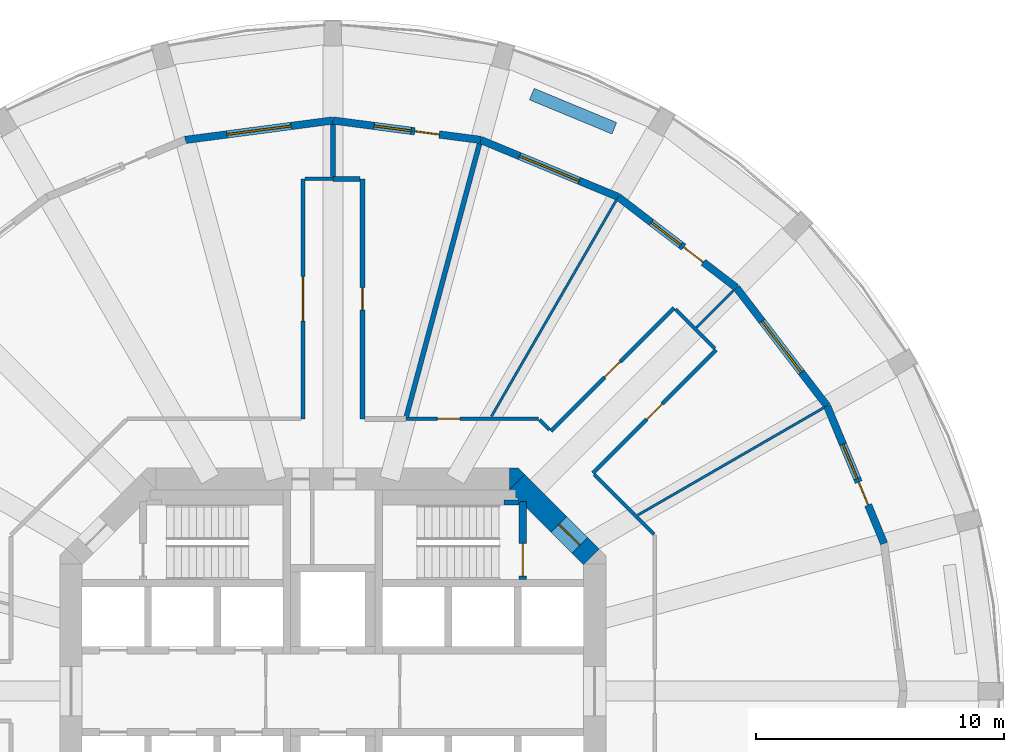
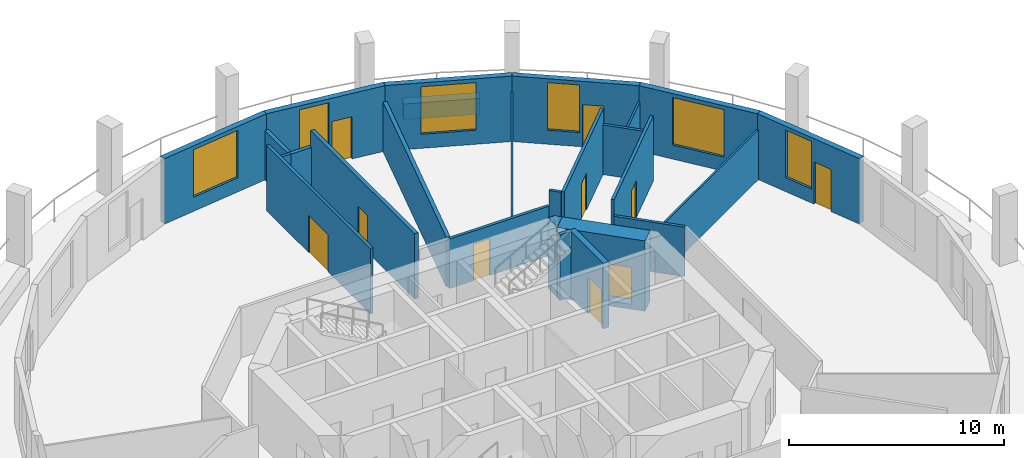
# One storey, part 6 of 9: 26 walls, 10 doors, 6 windows, 16 openings.
"""IFC4 building model written with IfcOpenShell, lengths in metres."""

from ifc_helpers import new_model, si_unit, direction, frame, frame_2d, origin, place, context, subcontext, project, spatial, polyline, rectangle, outline, extrude, material, layer, layer_set, type_object, element, fill, save


model = new_model("IFC4")

# Units and contexts
model_context = context("Model", 3, precision=1e-05, world=origin(), true_north=direction((0.0, 1.0)))
body_context = subcontext(model_context, "Body", "Model", "MODEL_VIEW")
ifc_project = project(units=[si_unit("LENGTHUNIT", "METRE"), si_unit("AREAUNIT", "SQUARE_METRE"), si_unit("VOLUMEUNIT", "CUBIC_METRE"), si_unit("PLANEANGLEUNIT", "RADIAN"), si_unit("MASSUNIT", "GRAM", prefix="KILO")], contexts=[model_context])

# Site, building, storey
site_placement = place(None, origin())
site = spatial("IfcSite", under=ifc_project, at=site_placement, CompositionType="ELEMENT")
building_placement = place(site_placement, origin())
building = spatial("IfcBuilding", under=site, at=building_placement, Name="Torre Triforio", CompositionType="ELEMENT")
storey_placement = place(building_placement, frame((0.0, 0.0, 51.0)))
storey = spatial("IfcBuildingStorey", under=building, at=storey_placement, Name="L10", CompositionType="ELEMENT", Elevation=51.0)

# Wall, opening, door
ifc_material_1 = material(Name="Concrete C60", Category="concrete")
ifc_layer_1 = layer(ifc_material_1, 0.89990234375)
ifc_layer_set_1 = layer_set([ifc_layer_1], Name="Concrete C60")
wall_type_1 = type_object("IfcWallType", Name="Core wall 900 mm C60 EI 120", PredefinedType="SHEAR", material=ifc_layer_set_1)
wall_1_placement = place(storey_placement, frame((7.418212890625, 8.418212890625, -0.280029296875), z_axis=(0.0, 0.0, 1.0), x_axis=(0.707106781187, -0.707106781187, 0.0)))
wall_1 = element("IfcWall", 1, at=wall_1_placement, inside=storey, type_object=wall_type_1, Name="Core wall", PredefinedType="SHEAR", context=body_context, shape_type="SweptSolid", body=[
    extrude(rectangle(XDim=4.24267578125, YDim=0.89990234375, at=frame_2d((2.121337890625, 0.0))), origin(), (0.0, 0.0, 1.0), 4.0),
])
opening_1_placement = place(wall_1_placement, frame((2.392578125, 0.0, 0.280029296875)))
opening_1 = element("IfcOpeningElement", 2, at=opening_1_placement, cuts=wall_1, Name="Opening ST2-EXIT", PredefinedType="OPENING", context=body_context, shape_type="SweptSolid", body=[
    extrude(rectangle(XDim=1.199951171875, YDim=2.10009765625, at=frame_2d((0.60009765625, 1.050048828125))), frame((0.0, 0.4599609375, 0.0), z_axis=(0.0, -1.0, 0.0), x_axis=(1.0, 0.0, 0.0)), (0.0, 0.0, 1.0), 0.919921875),
])
ifc_material_2 = material(Name="Hollow metal fire door leaf")
door_type_1 = type_object("IfcDoorType", Name="Stair lobby door 1200 x 2100 EI 60", OperationType="NOTDEFINED", PredefinedType="DOOR", material=ifc_material_2)
door_1_placement = place(opening_1_placement, origin())
door_1 = element("IfcDoor", 3, at=door_1_placement, inside=storey, type_object=door_type_1, Name="Core door ST2-EXIT", OperationType="SINGLE_SWING_RIGHT", OverallHeight=2.10009765625, OverallWidth=1.199951171875, PredefinedType="DOOR", context=body_context, shape_type="SweptSolid", body=[
    extrude(rectangle(XDim=1.199951171875, YDim=2.10009765625, at=frame_2d((0.60009765625, 1.050048828125))), frame((0.0, 0.02490234375, 0.0), z_axis=(0.0, -1.0, 0.0), x_axis=(1.0, 0.0, 0.0)), (0.0, 0.0, 1.0), 0.050048828125),
])
fill(opening_1, door_1)

# Wall
wall_2_placement = place(storey_placement, frame((0.0, 0.0, -0.280029296875)))
element("IfcWall", 4, at=wall_2_placement, inside=storey, type_object=wall_type_1, Name="Core wall", PredefinedType="SHEAR", context=body_context, shape_type="SweptSolid", body=[
    extrude(outline(polyline([(7.472900390625, 9.0), (7.736328125, 8.736328125), (7.1298828125, 8.1298828125), (7.1298828125, 9.0), (7.472900390625, 9.0)])), origin(), (0.0, 0.0, 1.0), 4.0),
])

# Wall, opening, door
ifc_material_3 = material(Name="Plasterboard on metal studs")
ifc_layer_2 = layer(ifc_material_3, 0.14990234375)
ifc_layer_set_2 = layer_set([ifc_layer_2], Name="Plasterboard on metal studs")
wall_type_2 = type_object("IfcWallType", Name="Corridor and tenancy wall 150 mm EI 60", PredefinedType="PARTITIONING", material=ifc_layer_set_2)
wall_3_placement = place(storey_placement, frame((-1.199951171875, 10.97509765625, 0.0), z_axis=(0.0, 0.0, 1.0), x_axis=(0.0, 1.0, 0.0)))
wall_3 = element("IfcWall", 5, at=wall_3_placement, inside=storey, type_object=wall_type_2, Name="Partition 17", PredefinedType="PARTITIONING", context=body_context, shape_type="SweptSolid", body=[
    extrude(rectangle(XDim=9.673583984375, YDim=0.14990234375, at=frame_2d((4.8369140625, 0.0))), origin(), (0.0, 0.0, 1.0), 3.719970703125),
])
opening_2_placement = place(wall_3_placement, frame((3.93701171875, 0.0, 0.0)))
opening_2 = element("IfcOpeningElement", 6, at=opening_2_placement, cuts=wall_3, Name="Opening N3-01", PredefinedType="OPENING", context=body_context, shape_type="SweptSolid", body=[
    extrude(rectangle(XDim=1.800048828125, YDim=2.10009765625, at=frame_2d((0.89990234375, 1.050048828125))), frame((0.0, 0.0849609375, 0.0), z_axis=(0.0, -1.0, 0.0), x_axis=(1.0, 0.0, 0.0)), (0.0, 0.0, 1.0), 0.169921875),
])
ifc_material_4 = material(Name="Timber", Category="wood")
door_type_2 = type_object("IfcDoorType", Name="Door 1800 x 2100 double leaf EI 30", OperationType="DOUBLE_DOOR_SINGLE_SWING", PredefinedType="DOOR", material=ifc_material_4)
door_2_placement = place(opening_2_placement, origin())
door_2 = element("IfcDoor", 7, at=door_2_placement, inside=storey, type_object=door_type_2, Name="Door N3-01", OperationType="DOUBLE_DOOR_SINGLE_SWING", OverallHeight=2.10009765625, OverallWidth=1.800048828125, PredefinedType="DOOR", context=body_context, shape_type="SweptSolid", body=[
    extrude(rectangle(XDim=1.800048828125, YDim=2.10009765625, at=frame_2d((0.89990234375, 1.050048828125))), frame((0.0, 0.02490234375, 0.0), z_axis=(0.0, -1.0, 0.0), x_axis=(1.0, 0.0, 0.0)), (0.0, 0.0, 1.0), 0.050048828125),
])
fill(opening_2, door_2)

# Wall
wall_4_placement = place(storey_placement, frame((-1.125, 20.648681640625, 0.0), z_axis=(0.0, 0.0, 1.0), x_axis=(1.0, 0.0, 0.0)))
element("IfcWall", 8, at=wall_4_placement, inside=storey, type_object=wall_type_2, Name="Partition 18", PredefinedType="PARTITIONING", context=body_context, shape_type="SweptSolid", body=[
    extrude(rectangle(XDim=1.125, YDim=0.14990234375, at=frame_2d((0.5625, 0.0))), origin(), (0.0, 0.0, 1.0), 2.820068359375),
])

# Wall, opening, door
wall_5_placement = place(storey_placement, frame((2.940673828125, 10.97509765625, 0.0), z_axis=(0.0, 0.0, 1.0), x_axis=(1.0, 0.0, 0.0)))
wall_5 = element("IfcWall", 9, at=wall_5_placement, inside=storey, type_object=wall_type_2, Name="Partition 22", PredefinedType="PARTITIONING", context=body_context, shape_type="SweptSolid", body=[
    extrude(rectangle(XDim=5.350341796875, YDim=0.14990234375, at=frame_2d((2.67529296875, 0.0))), origin(), (0.0, 0.0, 1.0), 2.820068359375),
])
opening_3_placement = place(wall_5_placement, frame((1.276611328125, 0.0, 0.0)))
opening_3 = element("IfcOpeningElement", 10, at=opening_3_placement, cuts=wall_5, Name="Opening N3-12", PredefinedType="OPENING", context=body_context, shape_type="SweptSolid", body=[
    extrude(rectangle(XDim=0.89990234375, YDim=2.10009765625, at=frame_2d((0.449951171875, 1.050048828125))), frame((0.0, 0.0849609375, 0.0), z_axis=(0.0, -1.0, 0.0), x_axis=(1.0, 0.0, 0.0)), (0.0, 0.0, 1.0), 0.169921875),
])
door_type_3 = type_object("IfcDoorType", Name="Door 900 x 2100 single leaf EI 30", OperationType="NOTDEFINED", PredefinedType="DOOR", material=ifc_material_4)
door_3_placement = place(opening_3_placement, origin())
door_3 = element("IfcDoor", 11, at=door_3_placement, inside=storey, type_object=door_type_3, Name="Door N3-12", OperationType="SINGLE_SWING_RIGHT", OverallHeight=2.10009765625, OverallWidth=0.89990234375, PredefinedType="DOOR", context=body_context, shape_type="SweptSolid", body=[
    extrude(rectangle(XDim=0.89990234375, YDim=2.10009765625, at=frame_2d((0.449951171875, 1.050048828125))), frame((0.0, 0.02490234375, 0.0), z_axis=(0.0, -1.0, 0.0), x_axis=(1.0, 0.0, 0.0)), (0.0, 0.0, 1.0), 0.050048828125),
])
fill(opening_3, door_3)

# Wall
wall_6_placement = place(storey_placement, frame((8.327880859375, 10.93798828125, 0.0), z_axis=(0.0, 0.0, 1.0), x_axis=(0.707106781187, -0.707106781187, 0.0)))
element("IfcWall", 12, at=wall_6_placement, inside=storey, type_object=wall_type_2, Name="Partition 23", PredefinedType="PARTITIONING", context=body_context, shape_type="SweptSolid", body=[
    extrude(rectangle(XDim=0.57080078125, YDim=0.14990234375, at=frame_2d((0.285400390625, 0.0))), origin(), (0.0, 0.0, 1.0), 3.719970703125),
])

# Wall, opening, door
wall_7_placement = place(storey_placement, frame((8.784423828125, 10.4814453125, 0.0), z_axis=(0.0, 0.0, 1.0), x_axis=(0.707089406061, 0.707124155885, 0.0)))
wall_7 = element("IfcWall", 13, at=wall_7_placement, inside=storey, type_object=wall_type_2, Name="Partition 24", PredefinedType="PARTITIONING", context=body_context, shape_type="SweptSolid", body=[
    extrude(rectangle(XDim=7.025634765625, YDim=0.14990234375, at=frame_2d((3.5126953125, 0.0))), origin(), (0.0, 0.0, 1.0), 3.719970703125),
])
opening_4_placement = place(wall_7_placement, frame((3.062744140625, 0.0, 0.0)))
opening_4 = element("IfcOpeningElement", 14, at=opening_4_placement, cuts=wall_7, Name="Opening N3-11", PredefinedType="OPENING", context=body_context, shape_type="SweptSolid", body=[
    extrude(rectangle(XDim=0.89990234375, YDim=2.10009765625, at=frame_2d((0.449951171875, 1.050048828125))), frame((0.0, 0.0849609375, 0.0), z_axis=(0.0, -1.0, 0.0), x_axis=(1.0, 0.0, 0.0)), (0.0, 0.0, 1.0), 0.169921875),
])
door_4_placement = place(opening_4_placement, origin())
door_4 = element("IfcDoor", 15, at=door_4_placement, inside=storey, type_object=door_type_3, Name="Door N3-11", OperationType="SINGLE_SWING_RIGHT", OverallHeight=2.10009765625, OverallWidth=0.89990234375, PredefinedType="DOOR", context=body_context, shape_type="SweptSolid", body=[
    extrude(rectangle(XDim=0.89990234375, YDim=2.10009765625, at=frame_2d((0.449951171875, 1.050048828125))), frame((0.0, 0.02490234375, 0.0), z_axis=(0.0, -1.0, 0.0), x_axis=(1.0, 0.0, 0.0)), (0.0, 0.0, 1.0), 0.050048828125),
])
fill(opening_4, door_4)

# Wall
wall_8_placement = place(storey_placement, frame((13.805419921875, 15.396240234375, 0.0), z_axis=(0.0, 0.0, 1.0), x_axis=(0.707106781187, -0.707106781187, 0.0)))
element("IfcWall", 16, at=wall_8_placement, inside=storey, type_object=wall_type_2, Name="Partition 25", PredefinedType="PARTITIONING", context=body_context, shape_type="SweptSolid", body=[
    extrude(rectangle(XDim=2.249755859375, YDim=0.14990234375, at=frame_2d((1.125, 0.0))), origin(), (0.0, 0.0, 1.0), 2.820068359375),
])

# Wall, opening, door
wall_9_placement = place(storey_placement, frame((15.449462890625, 13.752197265625, 0.0), z_axis=(0.0, 0.0, 1.0), x_axis=(-0.707124155885, -0.707089406061, 0.0)))
wall_9 = element("IfcWall", 17, at=wall_9_placement, inside=storey, type_object=wall_type_2, Name="Partition 26", PredefinedType="PARTITIONING", context=body_context, shape_type="SweptSolid", body=[
    extrude(rectangle(XDim=7.025634765625, YDim=0.14990234375, at=frame_2d((3.5126953125, 0.0))), origin(), (0.0, 0.0, 1.0), 3.719970703125),
])
opening_5_placement = place(wall_9_placement, frame((3.062744140625, 0.0, 0.0)))
opening_5 = element("IfcOpeningElement", 18, at=opening_5_placement, cuts=wall_9, Name="Opening N3-10", PredefinedType="OPENING", context=body_context, shape_type="SweptSolid", body=[
    extrude(rectangle(XDim=0.89990234375, YDim=2.10009765625, at=frame_2d((0.449951171875, 1.050048828125))), frame((0.0, 0.0849609375, 0.0), z_axis=(0.0, -1.0, 0.0), x_axis=(1.0, 0.0, 0.0)), (0.0, 0.0, 1.0), 0.169921875),
])
door_5_placement = place(opening_5_placement, origin())
door_5 = element("IfcDoor", 19, at=door_5_placement, inside=storey, type_object=door_type_3, Name="Door N3-10", OperationType="SINGLE_SWING_LEFT", OverallHeight=2.10009765625, OverallWidth=0.89990234375, PredefinedType="DOOR", context=body_context, shape_type="SweptSolid", body=[
    extrude(rectangle(XDim=0.89990234375, YDim=2.10009765625, at=frame_2d((0.449951171875, 1.050048828125))), frame((0.0, 0.02490234375, 0.0), z_axis=(0.0, -1.0, 0.0), x_axis=(1.0, 0.0, 0.0)), (0.0, 0.0, 1.0), 0.050048828125),
])
fill(opening_5, door_5)

# Walls
wall_10_placement = place(storey_placement, frame((10.534423828125, 8.7314453125, 0.0), z_axis=(0.0, 0.0, 1.0), x_axis=(0.707106781187, -0.707106781187, 0.0)))
element("IfcWall", 20, at=wall_10_placement, inside=storey, type_object=wall_type_2, Name="Partition 27", PredefinedType="PARTITIONING", context=body_context, shape_type="SweptSolid", body=[
    extrude(rectangle(XDim=3.399169921875, YDim=0.14990234375, at=frame_2d((1.69970703125, 0.0))), origin(), (0.0, 0.0, 1.0), 2.820068359375),
])
ifc_layer_3 = layer(ifc_material_3, 0.10009765625)
ifc_layer_set_3 = layer_set([ifc_layer_3], Name="Plasterboard on metal studs")
wall_type_3 = type_object("IfcWallType", Name="Partition 100 mm board on metal studs", PredefinedType="PARTITIONING", material=ifc_layer_set_3)
wall_11_placement = place(storey_placement, frame((12.294189453125, 7.097900390625, 0.0), z_axis=(0.0, 0.0, 1.0), x_axis=(0.866010547425, 0.500025731086, 0.0)))
element("IfcWall", 21, at=wall_11_placement, inside=storey, type_object=wall_type_3, Name="Partition 31", PredefinedType="PARTITIONING", context=body_context, shape_type="SweptSolid", body=[
    extrude(rectangle(XDim=8.640625, YDim=0.10009765625, at=frame_2d((4.3203125, 0.0))), origin(), (0.0, 0.0, 1.0), 2.820068359375),
])
wall_12_placement = place(storey_placement, frame((14.65380859375, 14.65380859375, 0.0), z_axis=(0.0, 0.0, 1.0), x_axis=(0.707106781187, 0.707106781187, 0.0)))
element("IfcWall", 22, at=wall_12_placement, inside=storey, type_object=wall_type_3, Name="Partition 32", PredefinedType="PARTITIONING", context=body_context, shape_type="SweptSolid", body=[
    extrude(rectangle(XDim=2.113037109375, YDim=0.10009765625, at=frame_2d((1.056640625, 0.0))), origin(), (0.0, 0.0, 1.0), 2.820068359375),
])
wall_13_placement = place(storey_placement, frame((6.393798828125, 11.07470703125, 0.0), z_axis=(0.0, 0.0, 1.0), x_axis=(0.500024592647, 0.866011204747, 0.0)))
element("IfcWall", 23, at=wall_13_placement, inside=storey, type_object=wall_type_3, Name="Partition 33", PredefinedType="PARTITIONING", context=body_context, shape_type="SweptSolid", body=[
    extrude(rectangle(XDim=10.048828125, YDim=0.10009765625, at=frame_2d((5.0244140625, 0.0))), origin(), (0.0, 0.0, 1.0), 2.820068359375),
])
ifc_material_5 = material(Name="Masonry block", Category="masonry")
ifc_layer_4 = layer(ifc_material_5, 0.199951171875)
ifc_layer_set_4 = layer_set([ifc_layer_4], Name="Masonry block")
wall_type_4 = type_object("IfcWallType", Name="Plant room wall 200 mm block EI 120", PredefinedType="PARTITIONING", material=ifc_layer_set_4)
wall_14_placement = place(storey_placement, frame((0.0, 20.648681640625, 0.0), z_axis=(0.0, 0.0, 1.0), x_axis=(1.0, 0.0, 0.0)))
element("IfcWall", 24, at=wall_14_placement, inside=storey, type_object=wall_type_4, Name="Partition 19", PredefinedType="PARTITIONING", context=body_context, shape_type="SweptSolid", body=[
    extrude(rectangle(XDim=1.10009765625, YDim=0.199951171875, at=frame_2d((0.550048828125, 0.0))), origin(), (0.0, 0.0, 1.0), 2.820068359375),
])

# Wall, opening, door
wall_15_placement = place(storey_placement, frame((1.199951171875, 20.648681640625, 0.0), z_axis=(0.0, 0.0, 1.0), x_axis=(0.0, -1.0, 0.0)))
wall_15 = element("IfcWall", 25, at=wall_15_placement, inside=storey, type_object=wall_type_4, Name="Partition 20", PredefinedType="PARTITIONING", context=body_context, shape_type="SweptSolid", body=[
    extrude(rectangle(XDim=9.673583984375, YDim=0.199951171875, at=frame_2d((4.8369140625, 0.0))), origin(), (0.0, 0.0, 1.0), 3.719970703125),
])
opening_6_placement = place(wall_15_placement, frame((4.386962890625, 0.0, 0.0)))
opening_6 = element("IfcOpeningElement", 26, at=opening_6_placement, cuts=wall_15, Name="Opening N3-13", PredefinedType="OPENING", context=body_context, shape_type="SweptSolid", body=[
    extrude(rectangle(XDim=0.89990234375, YDim=2.10009765625, at=frame_2d((0.449951171875, 1.050048828125))), frame((0.0, 0.10986328125, 0.0), z_axis=(0.0, -1.0, 0.0), x_axis=(1.0, 0.0, 0.0)), (0.0, 0.0, 1.0), 0.219970703125),
])
door_type_4 = type_object("IfcDoorType", Name="Door 900 x 2100 single leaf EI 60", OperationType="NOTDEFINED", PredefinedType="DOOR", material=ifc_material_2)
door_6_placement = place(opening_6_placement, origin())
door_6 = element("IfcDoor", 27, at=door_6_placement, inside=storey, type_object=door_type_4, Name="Door N3-13", OperationType="SINGLE_SWING_RIGHT", OverallHeight=2.10009765625, OverallWidth=0.89990234375, PredefinedType="DOOR", context=body_context, shape_type="SweptSolid", body=[
    extrude(rectangle(XDim=0.89990234375, YDim=2.10009765625, at=frame_2d((0.449951171875, 1.050048828125))), frame((0.0, 0.02490234375, 0.0), z_axis=(0.0, -1.0, 0.0), x_axis=(1.0, 0.0, 0.0)), (0.0, 0.0, 1.0), 0.050048828125),
])
fill(opening_6, door_6)

# Walls
wall_16_placement = place(storey_placement, frame((2.968017578125, 11.076416015625, 0.0), z_axis=(0.0, 0.0, 1.0), x_axis=(0.258815869134, 0.965926677282, 0.0)))
element("IfcWall", 28, at=wall_16_placement, inside=storey, type_object=wall_type_4, Name="Partition 34", PredefinedType="PARTITIONING", context=body_context, shape_type="SweptSolid", body=[
    extrude(rectangle(XDim=11.36962890625, YDim=0.199951171875, at=frame_2d((5.684814453125, 0.0))), origin(), (0.0, 0.0, 1.0), 2.820068359375),
])
wall_17_placement = place(storey_placement, frame((0.0, 20.748779296875, 0.0), z_axis=(0.0, 0.0, 1.0), x_axis=(0.0, 1.0, 0.0)))
element("IfcWall", 29, at=wall_17_placement, inside=storey, type_object=wall_type_4, Name="Partition 35", PredefinedType="PARTITIONING", context=body_context, shape_type="SweptSolid", body=[
    extrude(rectangle(XDim=2.087890625, YDim=0.199951171875, at=frame_2d((1.0439453125, 0.0))), origin(), (0.0, 0.0, 1.0), 2.820068359375),
])
ifc_material_6 = material(Name="Limestone cladding", Category="masonry")
ifc_layer_5 = layer(ifc_material_6, 0.10009765625)
ifc_material_7 = material(Name="Concrete C40", Category="concrete")
ifc_layer_6 = layer(ifc_material_7, 0.39990234375)
ifc_layer_set_5 = layer_set([ifc_layer_5, ifc_layer_6], Name="Limestone cladding / Concrete C40")
wall_type_5 = type_object("IfcWallType", Name="Planter wall 500", PredefinedType="PARAPET", material=ifc_layer_set_5)
wall_18_placement = place(storey_placement, frame((11.344970703125, 22.685302734375, 0.0), z_axis=(0.0, 0.0, 1.0), x_axis=(-0.923885420167, 0.382669217998, 0.0)))
element("IfcWall", 30, at=wall_18_placement, inside=storey, type_object=wall_type_5, Name="Planter L10 bay 05", PredefinedType="PARAPET", context=body_context, shape_type="SweptSolid", body=[
    extrude(rectangle(XDim=3.60009765625, YDim=0.5, at=frame_2d((1.800048828125, 0.0))), origin(), (0.0, 0.0, 1.0), 0.89990234375),
])
ifc_layer_7 = layer(ifc_material_1, 0.199951171875)
ifc_layer_set_6 = layer_set([ifc_layer_7], Name="Concrete C60")
wall_type_6 = type_object("IfcWallType", Name="Stair wall 200 mm C60 EI 120", PredefinedType="SHEAR", material=ifc_layer_set_6)
wall_19_placement = place(storey_placement, frame((6.89990234375, 7.60009765625, 0.0), z_axis=(0.0, 0.0, 1.0), x_axis=(1.0, 0.0, 0.0)))
element("IfcWall", 31, at=wall_19_placement, inside=storey, type_object=wall_type_6, Name="Stair wall", PredefinedType="SHEAR", context=body_context, shape_type="SweptSolid", body=[
    extrude(rectangle(XDim=0.60009765625, YDim=0.199951171875, at=frame_2d((0.300048828125, 0.0))), origin(), (0.0, 0.0, 1.0), 3.719970703125),
])

# Wall, opening, door
ifc_layer_8 = layer(ifc_material_1, 0.300048828125)
ifc_layer_set_7 = layer_set([ifc_layer_8], Name="Concrete C60")
wall_type_7 = type_object("IfcWallType", Name="Stair wall 300 mm C60 EI 120", PredefinedType="SHEAR", material=ifc_layer_set_7)
wall_20_placement = place(storey_placement, frame((7.64990234375, 4.5, 0.0), z_axis=(0.0, 0.0, 1.0), x_axis=(0.0, 1.0, 0.0)))
wall_20 = element("IfcWall", 32, at=wall_20_placement, inside=storey, type_object=wall_type_7, Name="Stair wall", PredefinedType="SHEAR", context=body_context, shape_type="SweptSolid", body=[
    extrude(rectangle(XDim=3.139892578125, YDim=0.300048828125, at=frame_2d((1.56982421875, 0.0))), origin(), (0.0, 0.0, 1.0), 3.719970703125),
])
opening_7_placement = place(wall_20_placement, frame((0.139892578125, 0.0, 0.0)))
opening_7 = element("IfcOpeningElement", 33, at=opening_7_placement, cuts=wall_20, Name="Opening ST2-STA", PredefinedType="OPENING", context=body_context, shape_type="SweptSolid", body=[
    extrude(rectangle(XDim=1.320068359375, YDim=2.10009765625, at=frame_2d((0.66015625, 1.050048828125))), frame((0.0, 0.159912109375, 0.0), z_axis=(0.0, -1.0, 0.0), x_axis=(1.0, 0.0, 0.0)), (0.0, 0.0, 1.0), 0.320068359375),
])
door_type_5 = type_object("IfcDoorType", Name="Stair door 1320 x 2100 EI 90", OperationType="DOUBLE_DOOR_SINGLE_SWING", PredefinedType="DOOR", material=ifc_material_2)
door_7_placement = place(opening_7_placement, origin())
door_7 = element("IfcDoor", 34, at=door_7_placement, inside=storey, type_object=door_type_5, Name="Core door ST2-ST", OperationType="DOUBLE_DOOR_SINGLE_SWING", OverallHeight=2.10009765625, OverallWidth=1.320068359375, PredefinedType="DOOR", context=body_context, shape_type="SweptSolid", body=[
    extrude(rectangle(XDim=1.320068359375, YDim=2.10009765625, at=frame_2d((0.66015625, 1.050048828125))), frame((0.0, 0.02490234375, 0.0), z_axis=(0.0, -1.0, 0.0), x_axis=(1.0, 0.0, 0.0)), (0.0, 0.0, 1.0), 0.050048828125),
])
fill(opening_7, door_7)

# Wall, openings, door, window
ifc_layer_9 = layer(ifc_material_6, 0.10009765625)
ifc_layer_10 = layer(ifc_material_7, 0.199951171875)
ifc_layer_set_8 = layer_set([ifc_layer_9, ifc_layer_10], Name="Limestone cladding / Concrete C40")
wall_type_8 = type_object("IfcWallType", Name="Stone-faced composite wall 300", PredefinedType="STANDARD", material=ifc_layer_set_8)
wall_21_placement = place(storey_placement, frame((22.21630859375, 5.952880859375, 0.0), z_axis=(0.0, 0.0, 1.0), x_axis=(-0.382671411433, 0.923884511653, 0.0)))
wall_21 = element("IfcWall", 35, at=wall_21_placement, inside=storey, type_object=wall_type_8, Name="External wall L10 bay 02", PredefinedType="STANDARD", context=body_context, shape_type="SweptSolid", body=[
    extrude(rectangle(XDim=6.004150390625, YDim=0.300048828125, at=frame_2d((3.001953125, 0.0))), origin(), (0.0, 0.0, 1.0), 3.719970703125),
])
opening_8_placement = place(wall_21_placement, frame((1.677001953125, 0.0, 0.0)))
opening_8 = element("IfcOpeningElement", 36, at=opening_8_placement, cuts=wall_21, Name="Opening N3-D02", PredefinedType="OPENING", context=body_context, shape_type="SweptSolid", body=[
    extrude(rectangle(XDim=1.0, YDim=2.39990234375, at=frame_2d((0.5, 1.199951171875))), frame((0.0, 0.159912109375, 0.0), z_axis=(0.0, -1.0, 0.0), x_axis=(1.0, 0.0, 0.0)), (0.0, 0.0, 1.0), 0.320068359375),
])
opening_9_placement = place(wall_21_placement, frame((2.8271484375, 0.0, 0.800048828125)))
opening_9 = element("IfcOpeningElement", 37, at=opening_9_placement, cuts=wall_21, Name="Opening N3-W02A", PredefinedType="OPENING", context=body_context, shape_type="SweptSolid", body=[
    extrude(rectangle(XDim=1.5, YDim=2.699951171875, at=frame_2d((0.75, 1.35009765625))), frame((0.0, 0.159912109375, 0.0), z_axis=(0.0, -1.0, 0.0), x_axis=(1.0, 0.0, 0.0)), (0.0, 0.0, 1.0), 0.320068359375),
])
ifc_material_8 = material(Name="Aluminium frame with clear double glazing", Category="aluminium")
door_type_6 = type_object("IfcDoorType", Name="Loggia door 1000 x 2400", OperationType="NOTDEFINED", PredefinedType="DOOR", material=ifc_material_8)
door_8_placement = place(opening_8_placement, origin())
door_8 = element("IfcDoor", 38, at=door_8_placement, inside=storey, type_object=door_type_6, Name="Loggia door L10 bay 02", OperationType="SINGLE_SWING_LEFT", OverallHeight=2.39990234375, OverallWidth=1.0, PredefinedType="DOOR", context=body_context, shape_type="SweptSolid", body=[
    extrude(rectangle(XDim=1.0, YDim=2.39990234375, at=frame_2d((0.5, 1.199951171875))), frame((0.0, 0.02490234375, 0.0), z_axis=(0.0, -1.0, 0.0), x_axis=(1.0, 0.0, 0.0)), (0.0, 0.0, 1.0), 0.050048828125),
])
fill(opening_8, door_8)
window_type_1 = type_object("IfcWindowType", Name="Side window 1500 x 2700", PartitioningType="SINGLE_PANEL", PredefinedType="WINDOW", material=ifc_material_8)
window_1_placement = place(opening_9_placement, origin())
window_1 = element("IfcWindow", 39, at=window_1_placement, inside=storey, type_object=window_type_1, Name="Side window EWN12 L10 bay 02", OverallHeight=2.699951171875, OverallWidth=1.5, PartitioningType="SINGLE_PANEL", PredefinedType="WINDOW", context=body_context, shape_type="SweptSolid", body=[
    extrude(rectangle(XDim=1.5, YDim=2.699951171875, at=frame_2d((0.75, 1.35009765625))), frame((0.0, 0.030029296875, 0.0), z_axis=(0.0, -1.0, 0.0), x_axis=(1.0, 0.0, 0.0)), (0.0, 0.0, 1.0), 0.06005859375),
])
fill(opening_9, window_1)

# Wall, opening, window
wall_22_placement = place(storey_placement, frame((19.918701171875, 11.5, 0.0), z_axis=(0.0, 0.0, 1.0), x_axis=(-0.608778912074, 0.793339924758, 0.0)))
wall_22 = element("IfcWall", 40, at=wall_22_placement, inside=storey, type_object=wall_type_8, Name="External wall L10 bay 03", PredefinedType="STANDARD", context=body_context, shape_type="SweptSolid", body=[
    extrude(rectangle(XDim=6.004150390625, YDim=0.300048828125, at=frame_2d((3.001953125, 0.0))), origin(), (0.0, 0.0, 1.0), 3.719970703125),
])
opening_10_placement = place(wall_22_placement, frame((1.7021484375, 0.0, 0.800048828125)))
opening_10 = element("IfcOpeningElement", 41, at=opening_10_placement, cuts=wall_22, Name="Opening N3-W03", PredefinedType="OPENING", context=body_context, shape_type="SweptSolid", body=[
    extrude(rectangle(XDim=2.60009765625, YDim=2.699951171875, at=frame_2d((1.300048828125, 1.35009765625))), frame((0.0, 0.159912109375, 0.0), z_axis=(0.0, -1.0, 0.0), x_axis=(1.0, 0.0, 0.0)), (0.0, 0.0, 1.0), 0.320068359375),
])
window_type_2 = type_object("IfcWindowType", Name="Punched window 2600 x 2700", PartitioningType="DOUBLE_PANEL_VERTICAL", PredefinedType="WINDOW", material=ifc_material_8)
window_2_placement = place(opening_10_placement, origin())
window_2 = element("IfcWindow", 42, at=window_2_placement, inside=storey, type_object=window_type_2, Name="Window EWN2 L10 bay 03", OverallHeight=2.699951171875, OverallWidth=2.60009765625, PartitioningType="SINGLE_PANEL", PredefinedType="WINDOW", context=body_context, shape_type="SweptSolid", body=[
    extrude(rectangle(XDim=2.60009765625, YDim=2.699951171875, at=frame_2d((1.300048828125, 1.35009765625))), frame((0.0, 0.030029296875, 0.0), z_axis=(0.0, -1.0, 0.0), x_axis=(1.0, 0.0, 0.0)), (0.0, 0.0, 1.0), 0.06005859375),
])
fill(opening_10, window_2)

# Wall, openings, door, window
wall_23_placement = place(storey_placement, frame((16.263427734375, 16.263427734375, 0.0), z_axis=(0.0, 0.0, 1.0), x_axis=(-0.793339924758, 0.608778912074, 0.0)))
wall_23 = element("IfcWall", 43, at=wall_23_placement, inside=storey, type_object=wall_type_8, Name="External wall L10 bay 04", PredefinedType="STANDARD", context=body_context, shape_type="SweptSolid", body=[
    extrude(rectangle(XDim=6.004150390625, YDim=0.300048828125, at=frame_2d((3.001953125, 0.0))), origin(), (0.0, 0.0, 1.0), 3.719970703125),
])
opening_11_placement = place(wall_23_placement, frame((1.677001953125, 0.0, 0.0)))
opening_11 = element("IfcOpeningElement", 44, at=opening_11_placement, cuts=wall_23, Name="Opening N3-D04", PredefinedType="OPENING", context=body_context, shape_type="SweptSolid", body=[
    extrude(rectangle(XDim=1.0, YDim=2.39990234375, at=frame_2d((0.5, 1.199951171875))), frame((0.0, 0.159912109375, 0.0), z_axis=(0.0, -1.0, 0.0), x_axis=(1.0, 0.0, 0.0)), (0.0, 0.0, 1.0), 0.320068359375),
])
opening_12_placement = place(wall_23_placement, frame((2.8271484375, 0.0, 0.800048828125)))
opening_12 = element("IfcOpeningElement", 45, at=opening_12_placement, cuts=wall_23, Name="Opening N3-W04A", PredefinedType="OPENING", context=body_context, shape_type="SweptSolid", body=[
    extrude(rectangle(XDim=1.5, YDim=2.699951171875, at=frame_2d((0.75, 1.35009765625))), frame((0.0, 0.159912109375, 0.0), z_axis=(0.0, -1.0, 0.0), x_axis=(1.0, 0.0, 0.0)), (0.0, 0.0, 1.0), 0.320068359375),
])
door_9_placement = place(opening_11_placement, origin())
door_9 = element("IfcDoor", 46, at=door_9_placement, inside=storey, type_object=door_type_6, Name="Loggia door L10 bay 04", OperationType="SINGLE_SWING_LEFT", OverallHeight=2.39990234375, OverallWidth=1.0, PredefinedType="DOOR", context=body_context, shape_type="SweptSolid", body=[
    extrude(rectangle(XDim=1.0, YDim=2.39990234375, at=frame_2d((0.5, 1.199951171875))), frame((0.0, 0.02490234375, 0.0), z_axis=(0.0, -1.0, 0.0), x_axis=(1.0, 0.0, 0.0)), (0.0, 0.0, 1.0), 0.050048828125),
])
fill(opening_11, door_9)
window_3_placement = place(opening_12_placement, origin())
window_3 = element("IfcWindow", 47, at=window_3_placement, inside=storey, type_object=window_type_1, Name="Side window EWN12 L10 bay 04", OverallHeight=2.699951171875, OverallWidth=1.5, PartitioningType="SINGLE_PANEL", PredefinedType="WINDOW", context=body_context, shape_type="SweptSolid", body=[
    extrude(rectangle(XDim=1.5, YDim=2.699951171875, at=frame_2d((0.75, 1.35009765625))), frame((0.0, 0.030029296875, 0.0), z_axis=(0.0, -1.0, 0.0), x_axis=(1.0, 0.0, 0.0)), (0.0, 0.0, 1.0), 0.06005859375),
])
fill(opening_12, window_3)

# Wall, opening, window
wall_24_placement = place(storey_placement, frame((11.5, 19.918701171875, 0.0), z_axis=(0.0, 0.0, 1.0), x_axis=(-0.923884511653, 0.382671411433, 0.0)))
wall_24 = element("IfcWall", 48, at=wall_24_placement, inside=storey, type_object=wall_type_8, Name="External wall L10 bay 05", PredefinedType="STANDARD", context=body_context, shape_type="SweptSolid", body=[
    extrude(rectangle(XDim=6.004150390625, YDim=0.300048828125, at=frame_2d((3.001953125, 0.0))), origin(), (0.0, 0.0, 1.0), 3.719970703125),
])
opening_13_placement = place(wall_24_placement, frame((1.7021484375, 0.0, 0.800048828125)))
opening_13 = element("IfcOpeningElement", 49, at=opening_13_placement, cuts=wall_24, Name="Opening N3-W05", PredefinedType="OPENING", context=body_context, shape_type="SweptSolid", body=[
    extrude(rectangle(XDim=2.60009765625, YDim=2.699951171875, at=frame_2d((1.300048828125, 1.35009765625))), frame((0.0, 0.159912109375, 0.0), z_axis=(0.0, -1.0, 0.0), x_axis=(1.0, 0.0, 0.0)), (0.0, 0.0, 1.0), 0.320068359375),
])
window_4_placement = place(opening_13_placement, origin())
window_4 = element("IfcWindow", 50, at=window_4_placement, inside=storey, type_object=window_type_2, Name="Window EWN2 L10 bay 05", OverallHeight=2.699951171875, OverallWidth=2.60009765625, PartitioningType="SINGLE_PANEL", PredefinedType="WINDOW", context=body_context, shape_type="SweptSolid", body=[
    extrude(rectangle(XDim=2.60009765625, YDim=2.699951171875, at=frame_2d((1.300048828125, 1.35009765625))), frame((0.0, 0.030029296875, 0.0), z_axis=(0.0, -1.0, 0.0), x_axis=(1.0, 0.0, 0.0)), (0.0, 0.0, 1.0), 0.06005859375),
])
fill(opening_13, window_4)

# Wall, openings, door, window
wall_25_placement = place(storey_placement, frame((5.952880859375, 22.21630859375, 0.0), z_axis=(0.0, 0.0, 1.0), x_axis=(-0.991445297315, 0.130522880875, 0.0)))
wall_25 = element("IfcWall", 51, at=wall_25_placement, inside=storey, type_object=wall_type_8, Name="External wall L10 bay 06", PredefinedType="STANDARD", context=body_context, shape_type="SweptSolid", body=[
    extrude(rectangle(XDim=6.004150390625, YDim=0.300048828125, at=frame_2d((3.001953125, 0.0))), origin(), (0.0, 0.0, 1.0), 3.719970703125),
])
opening_14_placement = place(wall_25_placement, frame((1.677001953125, 0.0, 0.0)))
opening_14 = element("IfcOpeningElement", 52, at=opening_14_placement, cuts=wall_25, Name="Opening N3-D06", PredefinedType="OPENING", context=body_context, shape_type="SweptSolid", body=[
    extrude(rectangle(XDim=1.0, YDim=2.39990234375, at=frame_2d((0.5, 1.199951171875))), frame((0.0, 0.159912109375, 0.0), z_axis=(0.0, -1.0, 0.0), x_axis=(1.0, 0.0, 0.0)), (0.0, 0.0, 1.0), 0.320068359375),
])
opening_15_placement = place(wall_25_placement, frame((2.8271484375, 0.0, 0.800048828125)))
opening_15 = element("IfcOpeningElement", 53, at=opening_15_placement, cuts=wall_25, Name="Opening N3-W06A", PredefinedType="OPENING", context=body_context, shape_type="SweptSolid", body=[
    extrude(rectangle(XDim=1.5, YDim=2.699951171875, at=frame_2d((0.75, 1.35009765625))), frame((0.0, 0.159912109375, 0.0), z_axis=(0.0, -1.0, 0.0), x_axis=(1.0, 0.0, 0.0)), (0.0, 0.0, 1.0), 0.320068359375),
])
door_10_placement = place(opening_14_placement, origin())
door_10 = element("IfcDoor", 54, at=door_10_placement, inside=storey, type_object=door_type_6, Name="Loggia door L10 bay 06", OperationType="SINGLE_SWING_LEFT", OverallHeight=2.39990234375, OverallWidth=1.0, PredefinedType="DOOR", context=body_context, shape_type="SweptSolid", body=[
    extrude(rectangle(XDim=1.0, YDim=2.39990234375, at=frame_2d((0.5, 1.199951171875))), frame((0.0, 0.02490234375, 0.0), z_axis=(0.0, -1.0, 0.0), x_axis=(1.0, 0.0, 0.0)), (0.0, 0.0, 1.0), 0.050048828125),
])
fill(opening_14, door_10)
window_5_placement = place(opening_15_placement, origin())
window_5 = element("IfcWindow", 55, at=window_5_placement, inside=storey, type_object=window_type_1, Name="Side window EWN12 L10 bay 06", OverallHeight=2.699951171875, OverallWidth=1.5, PartitioningType="SINGLE_PANEL", PredefinedType="WINDOW", context=body_context, shape_type="SweptSolid", body=[
    extrude(rectangle(XDim=1.5, YDim=2.699951171875, at=frame_2d((0.75, 1.35009765625))), frame((0.0, 0.030029296875, 0.0), z_axis=(0.0, -1.0, 0.0), x_axis=(1.0, 0.0, 0.0)), (0.0, 0.0, 1.0), 0.06005859375),
])
fill(opening_15, window_5)

# Wall, opening, window
wall_26_placement = place(storey_placement, frame((0.0, 23.0, 0.0), z_axis=(0.0, 0.0, 1.0), x_axis=(-0.991445297315, -0.130522880875, 0.0)))
wall_26 = element("IfcWall", 56, at=wall_26_placement, inside=storey, type_object=wall_type_8, Name="External wall L10 bay 07", PredefinedType="STANDARD", context=body_context, shape_type="SweptSolid", body=[
    extrude(rectangle(XDim=6.004150390625, YDim=0.300048828125, at=frame_2d((3.001953125, 0.0))), origin(), (0.0, 0.0, 1.0), 3.719970703125),
])
opening_16_placement = place(wall_26_placement, frame((1.7021484375, 0.0, 0.800048828125)))
opening_16 = element("IfcOpeningElement", 57, at=opening_16_placement, cuts=wall_26, Name="Opening N3-W07", PredefinedType="OPENING", context=body_context, shape_type="SweptSolid", body=[
    extrude(rectangle(XDim=2.60009765625, YDim=2.699951171875, at=frame_2d((1.300048828125, 1.35009765625))), frame((0.0, 0.159912109375, 0.0), z_axis=(0.0, -1.0, 0.0), x_axis=(1.0, 0.0, 0.0)), (0.0, 0.0, 1.0), 0.320068359375),
])
window_6_placement = place(opening_16_placement, origin())
window_6 = element("IfcWindow", 58, at=window_6_placement, inside=storey, type_object=window_type_2, Name="Window EWN2 L10 bay 07", OverallHeight=2.699951171875, OverallWidth=2.60009765625, PartitioningType="SINGLE_PANEL", PredefinedType="WINDOW", context=body_context, shape_type="SweptSolid", body=[
    extrude(rectangle(XDim=2.60009765625, YDim=2.699951171875, at=frame_2d((1.300048828125, 1.35009765625))), frame((0.0, 0.030029296875, 0.0), z_axis=(0.0, -1.0, 0.0), x_axis=(1.0, 0.0, 0.0)), (0.0, 0.0, 1.0), 0.06005859375),
])
fill(opening_16, window_6)

save(model, "model.ifc")
